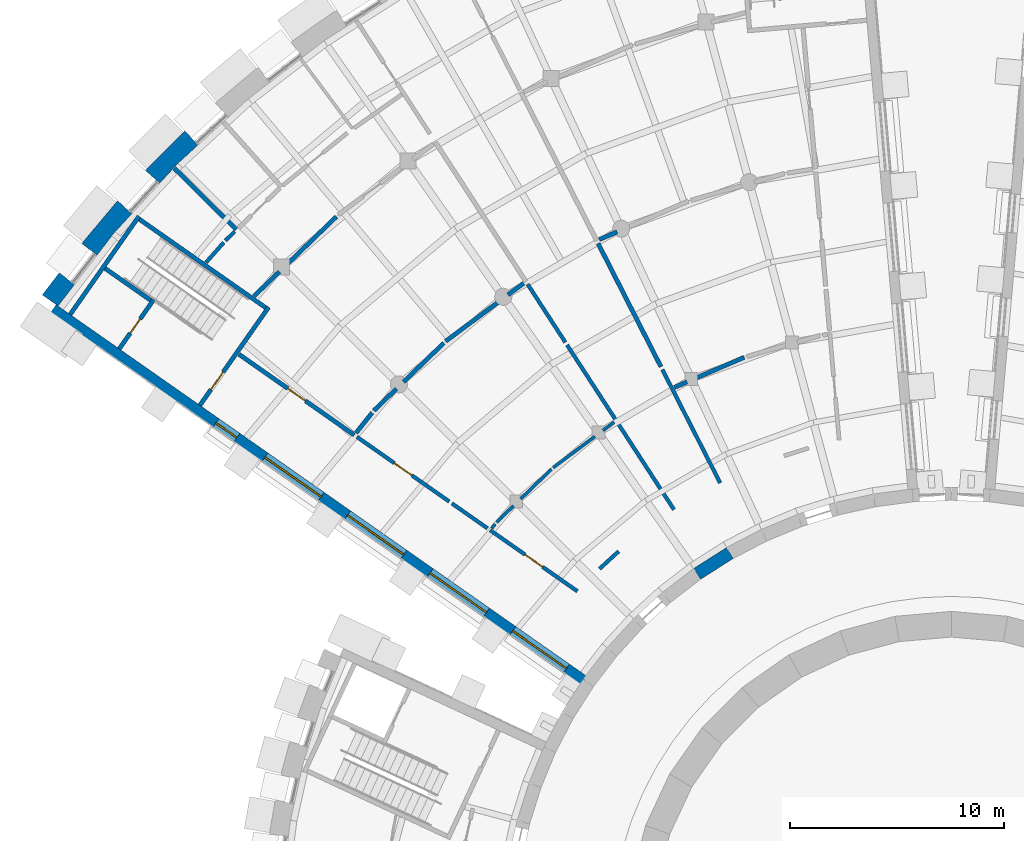
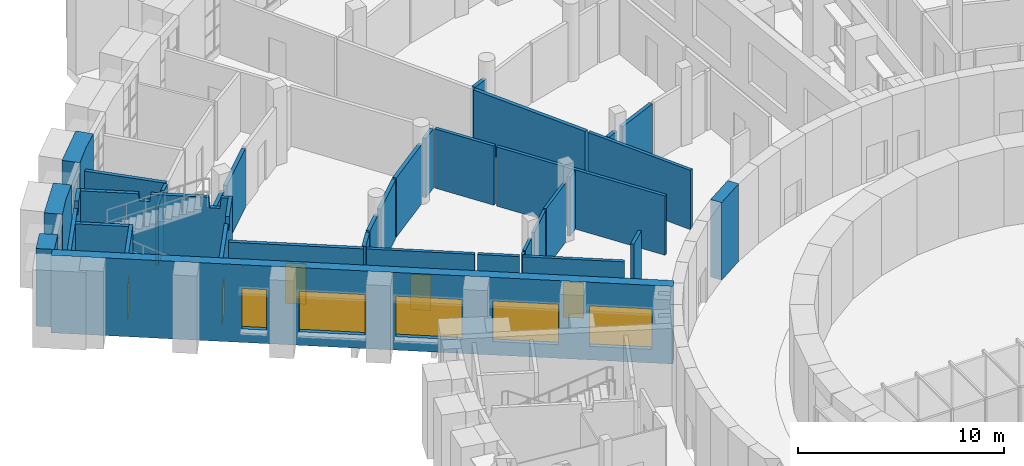
# One storey, part 56 of 85: 37 walls, 5 doors, 5 windows, 10 openings.
"""IFC4 building model written with IfcOpenShell, lengths in metres."""

from ifc_helpers import new_model, si_unit, direction, frame, frame_2d, origin, place, context, subcontext, project, spatial, polyline, rectangle, outline, extrude, material, layer, layer_set, type_object, element, fill, save


model = new_model("IFC4")

# Units and contexts
model_context = context("Model", 3, precision=1e-05, world=origin(), true_north=direction((0.0, 1.0)))
body_context = subcontext(model_context, "Body", "Model", "MODEL_VIEW")
ifc_project = project(units=[si_unit("LENGTHUNIT", "METRE"), si_unit("AREAUNIT", "SQUARE_METRE"), si_unit("VOLUMEUNIT", "CUBIC_METRE"), si_unit("PLANEANGLEUNIT", "RADIAN"), si_unit("MASSUNIT", "GRAM", prefix="KILO")], contexts=[model_context])

# Site, building, storey
site_placement = place(None, origin())
site = spatial("IfcSite", under=ifc_project, at=site_placement, CompositionType="ELEMENT")
building_placement = place(site_placement, origin())
building = spatial("IfcBuilding", under=site, at=building_placement, Name="Volute Hill Aquarium", CompositionType="ELEMENT")
storey_placement = place(building_placement, origin())
storey = spatial("IfcBuildingStorey", under=building, at=storey_placement, Name="L01", CompositionType="ELEMENT", Elevation=0.0)

# Walls
ifc_material_1 = material(Name="Gypsum board on steel studs", Category="steel")
ifc_layer_1 = layer(ifc_material_1, 0.14990234375)
ifc_layer_set_1 = layer_set([ifc_layer_1], Name="Acoustic partition 150")
wall_type_1 = type_object("IfcWallType", Name="Acoustic partition 150", PredefinedType="PARTITIONING", material=ifc_layer_set_1)
wall_1_placement = place(storey_placement, frame((-18.60791015625, 21.916015625, 0.0), z_axis=(0.0, 0.0, 1.0), x_axis=(0.802120624252, 0.597162041786, 0.0)))
element("IfcWall", 1, at=wall_1_placement, inside=storey, type_object=wall_type_1, Name="pw/S6/L01/030", PredefinedType="PARTITIONING", context=body_context, shape_type="SweptSolid", body=[
    extrude(rectangle(XDim=2.439453125, YDim=0.14990234375, at=frame_2d((1.2197265625, 0.0))), origin(), (0.0, 0.0, 1.0), 3.510009765625),
])
wall_2_placement = place(storey_placement, frame((-20.12353515625, 20.452392578125, 0.0), z_axis=(0.0, 0.0, 1.0), x_axis=(0.719317397078, 0.694681568965, 0.0)))
element("IfcWall", 2, at=wall_2_placement, inside=storey, type_object=wall_type_1, Name="pw/S6/L01/034", PredefinedType="PARTITIONING", context=body_context, shape_type="SweptSolid", body=[
    extrude(rectangle(XDim=2.001708984375, YDim=0.14990234375, at=frame_2d((1.0009765625, 0.0))), origin(), (0.0, 0.0, 1.0), 3.510009765625),
])
wall_3_placement = place(storey_placement, frame((-21.253173828125, 19.361572265625, 0.0), z_axis=(0.0, 0.0, 1.0), x_axis=(0.719390021907, 0.69460636074, 0.0)))
element("IfcWall", 3, at=wall_3_placement, inside=storey, type_object=wall_type_1, Name="pw/S6/L01/050", PredefinedType="PARTITIONING", context=body_context, shape_type="SweptSolid", body=[
    extrude(rectangle(XDim=1.103271484375, YDim=0.14990234375, at=frame_2d((0.5517578125, 0.0))), origin(), (0.0, 0.0, 1.0), 3.510009765625),
])
wall_4_placement = place(storey_placement, frame((-16.27392578125, 23.653564453125, 0.0), z_axis=(0.0, 0.0, 1.0), x_axis=(0.802203924917, 0.597050134283, 0.0)))
element("IfcWall", 4, at=wall_4_placement, inside=storey, type_object=wall_type_1, Name="pw/S6/L01/053", PredefinedType="PARTITIONING", context=body_context, shape_type="SweptSolid", body=[
    extrude(rectangle(XDim=0.649658203125, YDim=0.14990234375, at=frame_2d((0.32470703125, 0.0))), origin(), (0.0, 0.0, 1.0), 3.510009765625),
])
wall_5_placement = place(storey_placement, frame((-21.4736328125, 19.085693359375, 0.0), z_axis=(0.0, 0.0, 1.0), x_axis=(0.62457509106, 0.78096475953, 0.0)))
element("IfcWall", 5, at=wall_5_placement, inside=storey, type_object=wall_type_1, Name="pw/S6/L01/056", PredefinedType="PARTITIONING", context=body_context, shape_type="SweptSolid", body=[
    extrude(rectangle(XDim=0.248291015625, YDim=0.14990234375, at=frame_2d((0.1240234375, 0.0))), origin(), (0.0, 0.0, 1.0), 3.510009765625),
])

# Wall, opening, door
ifc_material_2 = material(Name="Concrete C30/37", Category="concrete")
ifc_layer_2 = layer(ifc_material_2, 0.199951171875)
ifc_layer_set_2 = layer_set([ifc_layer_2], Name="Core wall 200 REI 60")
wall_type_2 = type_object("IfcWallType", Name="Core wall 200 REI 60", PredefinedType="SHEAR", material=ifc_layer_set_2)
wall_6_placement = place(storey_placement, frame((-35.10888671875, 24.82763671875, 0.0), z_axis=(0.0, 0.0, 1.0), x_axis=(0.573599855614, 0.819135645446, 0.0)))
wall_6 = element("IfcWall", 6, at=wall_6_placement, inside=storey, type_object=wall_type_2, Name="wc/S6-B/L01/in", PredefinedType="SHEAR", context=body_context, shape_type="SweptSolid", body=[
    extrude(outline(polyline([(0.0, 0.0), (5.60009765625, 0.0), (5.60009765625, 4.35009765625), (3.853271484375, 4.35009765625), (3.80322265625, 3.780029296875), (3.30322265625, 3.780029296875), (3.25341796875, 4.35009765625), (0.0, 4.35009765625), (0.0, 0.0)])), frame((0.0, 0.10009765625, 0.0), z_axis=(0.0, -1.0, 0.0), x_axis=(1.0, 0.0, 0.0)), (0.0, 0.0, 1.0), 0.199951171875),
])
opening_1_placement = place(wall_6_placement, frame((0.89990234375, 0.0, 0.0)))
opening_1 = element("IfcOpeningElement", 7, at=opening_1_placement, cuts=wall_6, Name="Opening D6.01.BS", PredefinedType="OPENING", context=body_context, shape_type="SweptSolid", body=[
    extrude(rectangle(XDim=1.0, YDim=2.10009765625, at=frame_2d((0.5, 1.050048828125))), frame((0.0, 0.10986328125, 0.0), z_axis=(0.0, -1.0, 0.0), x_axis=(1.0, 0.0, 0.0)), (0.0, 0.0, 1.0), 0.219970703125),
])
ifc_material_3 = material(Name="Timber, fire-rated", Category="wood")
door_type_1 = type_object("IfcDoorType", Name="Door 1000 x 2100 single EI1 30", OperationType="SINGLE_SWING_LEFT", PredefinedType="DOOR", material=ifc_material_3)
door_1_placement = place(opening_1_placement, origin())
door_1 = element("IfcDoor", 8, at=door_1_placement, inside=storey, type_object=door_type_1, Name="d/S6-B/L01/st", OperationType="SINGLE_SWING_RIGHT", OverallHeight=2.10009765625, OverallWidth=1.0, PredefinedType="DOOR", context=body_context, shape_type="SweptSolid", body=[
    extrude(rectangle(XDim=1.0, YDim=2.10009765625, at=frame_2d((0.5, 1.050048828125))), frame((0.0, 0.02490234375, 0.0), z_axis=(0.0, -1.0, 0.0), x_axis=(1.0, 0.0, 0.0)), (0.0, 0.0, 1.0), 0.050048828125),
])
fill(opening_1, door_1)

# Walls
wall_7_placement = place(storey_placement, frame((-32.0361328125, 29.390380859375, 0.0), z_axis=(0.0, 0.0, 1.0), x_axis=(-0.819161821637, 0.573562472597, 0.0)))
element("IfcWall", 9, at=wall_7_placement, inside=storey, type_object=wall_type_2, Name="wc/S6-B/L01/side", PredefinedType="SHEAR", context=body_context, shape_type="SweptSolid", body=[
    extrude(outline(polyline([(0.0, 0.0), (7.199951171875, 0.0), (7.199951171875, 4.35009765625), (4.36767578125, 4.35009765625), (4.317626953125, 3.929931640625), (3.817626953125, 3.929931640625), (3.767578125, 4.35009765625), (0.942626953125, 4.35009765625), (0.892578125, 3.72998046875), (0.392578125, 3.72998046875), (0.342529296875, 4.35009765625), (0.0, 4.35009765625), (0.0, 0.0)])), frame((0.0, 0.10009765625, 0.0), z_axis=(0.0, -1.0, 0.0), x_axis=(1.0, 0.0, 0.0)), (0.0, 0.0, 1.0), 0.199951171875),
])
wall_8_placement = place(storey_placement, frame((-41.17041015625, 29.072021484375, 0.0), z_axis=(0.0, 0.0, 1.0), x_axis=(0.573570601961, 0.819156129542, 0.0)))
element("IfcWall", 10, at=wall_8_placement, inside=storey, type_object=wall_type_2, Name="wc/S6-B/L01/out", PredefinedType="SHEAR", context=body_context, shape_type="SweptSolid", body=[
    extrude(outline(polyline([(0.0, 0.0), (5.599853515625, 0.0), (5.599853515625, 4.35009765625), (4.51806640625, 4.35009765625), (4.468017578125, 3.929931640625), (3.968017578125, 3.929931640625), (3.918212890625, 4.35009765625), (0.0, 4.35009765625), (0.0, 0.0)])), frame((0.0, 0.10009765625, 0.0), z_axis=(0.0, -1.0, 0.0), x_axis=(1.0, 0.0, 0.0)), (0.0, 0.0, 1.0), 0.199951171875),
])
ifc_material_4 = material(Name="Gypsum board on steel studs", Category="steel")
ifc_layer_3 = layer(ifc_material_4, 0.175048828125)
ifc_layer_set_3 = layer_set([ifc_layer_3], Name="Corridor partition 175 EI 60")
wall_type_3 = type_object("IfcWallType", Name="Corridor partition 175 EI 60", PredefinedType="PARTITIONING", material=ifc_layer_set_3)
wall_9_placement = place(storey_placement, frame((-12.96240234375, 19.96044921875, 0.0), z_axis=(0.0, 0.0, 1.0), x_axis=(-0.544645595922, 0.838666307206, 0.0)))
element("IfcWall", 11, at=wall_9_placement, inside=storey, type_object=wall_type_3, Name="pw/S6/L01/001", PredefinedType="PARTITIONING", context=body_context, shape_type="SweptSolid", body=[
    extrude(rectangle(XDim=9.16455078125, YDim=0.175048828125, at=frame_2d((4.582275390625, 0.0))), origin(), (0.0, 0.0, 1.0), 3.510009765625),
])
wall_10_placement = place(storey_placement, frame((-13.500732421875, 26.496826171875, 0.0), z_axis=(0.0, 0.0, 1.0), x_axis=(0.453992914648, -0.891005293727, 0.0)))
element("IfcWall", 12, at=wall_10_placement, inside=storey, type_object=wall_type_3, Name="pw/S6/L01/009", PredefinedType="PARTITIONING", context=body_context, shape_type="SweptSolid", body=[
    extrude(rectangle(XDim=5.93798828125, YDim=0.175048828125, at=frame_2d((2.968994140625, 0.0))), origin(), (0.0, 0.0, 1.0), 3.510009765625),
])

# Wall, opening, door
wall_11_placement = place(storey_placement, frame((-27.772705078125, 23.35302734375, 0.0), z_axis=(0.0, 0.0, 1.0), x_axis=(0.819151370893, -0.573577398059, 0.0)))
wall_11 = element("IfcWall", 13, at=wall_11_placement, inside=storey, type_object=wall_type_3, Name="pw/S6/L01/011", PredefinedType="PARTITIONING", context=body_context, shape_type="SweptSolid", body=[
    extrude(rectangle(XDim=5.26904296875, YDim=0.175048828125, at=frame_2d((2.634521484375, 0.0))), origin(), (0.0, 0.0, 1.0), 3.510009765625),
])
opening_2_placement = place(wall_11_placement, frame((2.134521484375, 0.0, 0.0)))
opening_2 = element("IfcOpeningElement", 14, at=opening_2_placement, cuts=wall_11, Name="Opening D6.01.05", PredefinedType="OPENING", context=body_context, shape_type="SweptSolid", body=[
    extrude(rectangle(XDim=1.0, YDim=2.10009765625, at=frame_2d((0.5, 1.050048828125))), frame((0.0, 0.097412109375, 0.0), z_axis=(0.0, -1.0, 0.0), x_axis=(1.0, 0.0, 0.0)), (0.0, 0.0, 1.0), 0.195068359375),
])
door_2_placement = place(opening_2_placement, origin())
door_2 = element("IfcDoor", 15, at=door_2_placement, inside=storey, type_object=door_type_1, Name="d/S6/L01/05", OperationType="SINGLE_SWING_LEFT", OverallHeight=2.10009765625, OverallWidth=1.0, PredefinedType="DOOR", context=body_context, shape_type="SweptSolid", body=[
    extrude(rectangle(XDim=1.0, YDim=2.10009765625, at=frame_2d((0.5, 1.050048828125))), frame((0.0, 0.02490234375, 0.0), z_axis=(0.0, -1.0, 0.0), x_axis=(1.0, 0.0, 0.0)), (0.0, 0.0, 1.0), 0.050048828125),
])
fill(opening_2, door_2)

wall_12_placement = place(storey_placement, frame((-21.547119140625, 18.993896484375, 0.0), z_axis=(0.0, 0.0, 1.0), x_axis=(0.819169654263, -0.57355128588, 0.0)))
wall_12 = element("IfcWall", 16, at=wall_12_placement, inside=storey, type_object=wall_type_3, Name="pw/S6/L01/013", PredefinedType="PARTITIONING", context=body_context, shape_type="SweptSolid", body=[
    extrude(rectangle(XDim=4.973876953125, YDim=0.175048828125, at=frame_2d((2.48681640625, 0.0))), origin(), (0.0, 0.0, 1.0), 3.510009765625),
])
opening_3_placement = place(wall_12_placement, frame((1.987060546875, 0.0, 0.0)))
opening_3 = element("IfcOpeningElement", 17, at=opening_3_placement, cuts=wall_12, Name="Opening D6.01.04", PredefinedType="OPENING", context=body_context, shape_type="SweptSolid", body=[
    extrude(rectangle(XDim=1.0, YDim=2.10009765625, at=frame_2d((0.5, 1.050048828125))), frame((0.0, 0.097412109375, 0.0), z_axis=(0.0, -1.0, 0.0), x_axis=(1.0, 0.0, 0.0)), (0.0, 0.0, 1.0), 0.195068359375),
])
door_3_placement = place(opening_3_placement, origin())
door_3 = element("IfcDoor", 18, at=door_3_placement, inside=storey, type_object=door_type_1, Name="d/S6/L01/04", OperationType="SINGLE_SWING_RIGHT", OverallHeight=2.10009765625, OverallWidth=1.0, PredefinedType="DOOR", context=body_context, shape_type="SweptSolid", body=[
    extrude(rectangle(XDim=1.0, YDim=2.10009765625, at=frame_2d((0.5, 1.050048828125))), frame((0.0, 0.02490234375, 0.0), z_axis=(0.0, -1.0, 0.0), x_axis=(1.0, 0.0, 0.0)), (0.0, 0.0, 1.0), 0.050048828125),
])
fill(opening_3, door_3)

# Walls
wall_13_placement = place(storey_placement, frame((-19.797607421875, 30.485595703125, 0.0), z_axis=(0.0, 0.0, 1.0), x_axis=(0.544664723854, -0.838653884859, 0.0)))
element("IfcWall", 19, at=wall_13_placement, inside=storey, type_object=wall_type_3, Name="pw/S6/L01/020", PredefinedType="PARTITIONING", context=body_context, shape_type="SweptSolid", body=[
    extrude(rectangle(XDim=3.2353515625, YDim=0.175048828125, at=frame_2d((1.61767578125, 0.0))), origin(), (0.0, 0.0, 1.0), 3.510009765625),
])
wall_14_placement = place(storey_placement, frame((-33.91552734375, 32.523681640625, 0.0), z_axis=(0.0, 0.0, 1.0), x_axis=(0.719380474715, 0.694616248441, 0.0)))
element("IfcWall", 20, at=wall_14_placement, inside=storey, type_object=wall_type_3, Name="pw/S6/L01/021", PredefinedType="PARTITIONING", context=body_context, shape_type="SweptSolid", body=[
    extrude(rectangle(XDim=0.601318359375, YDim=0.175048828125, at=frame_2d((0.30078125, 0.0))), origin(), (0.0, 0.0, 1.0), 3.510009765625),
])
wall_15_placement = place(storey_placement, frame((-23.333740234375, 20.244873046875, 0.0), z_axis=(0.0, 0.0, 1.0), x_axis=(0.819164141, -0.573559160069, 0.0)))
element("IfcWall", 21, at=wall_15_placement, inside=storey, type_object=wall_type_3, Name="pw/S6/L01/032", PredefinedType="PARTITIONING", context=body_context, shape_type="SweptSolid", body=[
    extrude(rectangle(XDim=2.03076171875, YDim=0.175048828125, at=frame_2d((1.015380859375, 0.0))), origin(), (0.0, 0.0, 1.0), 3.510009765625),
])
wall_16_placement = place(storey_placement, frame((-34.82373046875, 31.5009765625, 0.0), z_axis=(0.0, 0.0, 1.0), x_axis=(0.663988099317, 0.747743140366, 0.0)))
element("IfcWall", 22, at=wall_16_placement, inside=storey, type_object=wall_type_3, Name="pw/S6/L01/044", PredefinedType="PARTITIONING", context=body_context, shape_type="SweptSolid", body=[
    extrude(rectangle(XDim=1.25048828125, YDim=0.175048828125, at=frame_2d((0.625244140625, 0.0))), origin(), (0.0, 0.0, 1.0), 3.510009765625),
])
wall_17_placement = place(storey_placement, frame((-16.438232421875, 17.187255859375, 0.0), z_axis=(0.0, 0.0, 1.0), x_axis=(0.737279656854, 0.675587675723, 0.0)))
element("IfcWall", 23, at=wall_17_placement, inside=storey, type_object=wall_type_3, Name="pw/S6/L01/047", PredefinedType="PARTITIONING", context=body_context, shape_type="SweptSolid", body=[
    extrude(rectangle(XDim=1.2109375, YDim=0.175048828125, at=frame_2d((0.60546875, 0.0))), origin(), (0.0, 0.0, 1.0), 3.510009765625),
])
ifc_material_5 = material(Name="Concrete C35/45", Category="concrete")
ifc_layer_4 = layer(ifc_material_5, 0.60009765625)
ifc_layer_set_4 = layer_set([ifc_layer_4], Name="Drum wall C35/45 600")
wall_type_4 = type_object("IfcWallType", Name="Drum wall C35/45 600", PredefinedType="SHEAR", material=ifc_layer_set_4)
wall_18_placement = place(storey_placement, frame((-10.35009765625, 17.9267578125, 0.0), z_axis=(0.0, 0.0, 1.0), x_axis=(-0.843332890803, -0.537391510251, 0.0)))
element("IfcWall", 24, at=wall_18_placement, inside=storey, type_object=wall_type_4, Name="sw/DR/L01/24", PredefinedType="SHEAR", context=body_context, shape_type="SweptSolid", body=[
    extrude(rectangle(XDim=1.805908203125, YDim=0.60009765625, at=frame_2d((0.90283203125, 0.0))), origin(), (0.0, 0.0, 1.0), 4.60009765625),
])

# Wall, openings, windows
ifc_material_6 = material(Name="Concrete C35/45", Category="concrete")
ifc_layer_5 = layer(ifc_material_6, 0.5)
ifc_layer_set_5 = layer_set([ifc_layer_5], Name="End wall 500 C35/45")
wall_type_5 = type_object("IfcWallType", Name="End wall 500 C35/45", PredefinedType="SHEAR", material=ifc_layer_set_5)
wall_19_placement = place(storey_placement, frame((-17.14892578125, 11.94677734375, 0.0), z_axis=(0.0, 0.0, 1.0), x_axis=(-0.81915166255, 0.57357698153, 0.0)))
wall_19 = element("IfcWall", 25, at=wall_19_placement, inside=storey, type_object=wall_type_5, Name="sw/S6/L01/endB", PredefinedType="SHEAR", context=body_context, shape_type="SweptSolid", body=[
    extrude(rectangle(XDim=30.300048828125, YDim=0.5, at=frame_2d((15.14990234375, 0.0))), origin(), (0.0, 0.0, 1.0), 4.60009765625),
])
opening_4_placement = place(wall_19_placement, frame((1.02001953125, 0.0, 0.800048828125)))
opening_4 = element("IfcOpeningElement", 26, at=opening_4_placement, cuts=wall_19, Name="Opening W14", PredefinedType="OPENING", context=body_context, shape_type="SweptSolid", body=[
    extrude(rectangle(XDim=3.063232421875, YDim=2.39990234375, at=frame_2d((1.53173828125, 1.199951171875))), frame((0.0, 0.260009765625, 0.0), z_axis=(0.0, -1.0, 0.0), x_axis=(1.0, 0.0, 0.0)), (0.0, 0.0, 1.0), 0.52001953125),
])
opening_5_placement = place(wall_19_placement, frame((5.583251953125, 0.0, 0.800048828125)))
opening_5 = element("IfcOpeningElement", 27, at=opening_5_placement, cuts=wall_19, Name="Opening W15", PredefinedType="OPENING", context=body_context, shape_type="SweptSolid", body=[
    extrude(rectangle(XDim=3.21337890625, YDim=2.39990234375, at=frame_2d((1.606689453125, 1.199951171875))), frame((0.0, 0.260009765625, 0.0), z_axis=(0.0, -1.0, 0.0), x_axis=(1.0, 0.0, 0.0)), (0.0, 0.0, 1.0), 0.52001953125),
])
opening_6_placement = place(wall_19_placement, frame((10.296630859375, 0.0, 0.800048828125)))
opening_6 = element("IfcOpeningElement", 28, at=opening_6_placement, cuts=wall_19, Name="Opening W15", PredefinedType="OPENING", context=body_context, shape_type="SweptSolid", body=[
    extrude(rectangle(XDim=3.21337890625, YDim=2.39990234375, at=frame_2d((1.606689453125, 1.199951171875))), frame((0.0, 0.260009765625, 0.0), z_axis=(0.0, -1.0, 0.0), x_axis=(1.0, 0.0, 0.0)), (0.0, 0.0, 1.0), 0.52001953125),
])
opening_7_placement = place(wall_19_placement, frame((15.010009765625, 0.0, 0.800048828125)))
opening_7 = element("IfcOpeningElement", 29, at=opening_7_placement, cuts=wall_19, Name="Opening W15", PredefinedType="OPENING", context=body_context, shape_type="SweptSolid", body=[
    extrude(rectangle(XDim=3.21337890625, YDim=2.39990234375, at=frame_2d((1.606689453125, 1.199951171875))), frame((0.0, 0.260009765625, 0.0), z_axis=(0.0, -1.0, 0.0), x_axis=(1.0, 0.0, 0.0)), (0.0, 0.0, 1.0), 0.52001953125),
])
opening_8_placement = place(wall_19_placement, frame((19.81640625, 0.0, 0.800048828125)))
opening_8 = element("IfcOpeningElement", 30, at=opening_8_placement, cuts=wall_19, Name="Opening W16", PredefinedType="OPENING", context=body_context, shape_type="SweptSolid", body=[
    extrude(rectangle(XDim=1.199951171875, YDim=2.39990234375, at=frame_2d((0.60009765625, 1.199951171875))), frame((0.0, 0.260009765625, 0.0), z_axis=(0.0, -1.0, 0.0), x_axis=(1.0, 0.0, 0.0)), (0.0, 0.0, 1.0), 0.52001953125),
])
ifc_material_7 = material(Name="Aluminium and glass", Category="aluminium")
window_type_1 = type_object("IfcWindowType", Name="End wall window 1200x2400", PartitioningType="SINGLE_PANEL", PredefinedType="WINDOW", material=ifc_material_7)
window_1_placement = place(opening_8_placement, origin())
window_1 = element("IfcWindow", 31, at=window_1_placement, inside=storey, type_object=window_type_1, Name="End wall window S6B L01 5.1", OverallHeight=2.39990234375, OverallWidth=1.199951171875, PartitioningType="SINGLE_PANEL", PredefinedType="WINDOW", context=body_context, shape_type="SweptSolid", body=[
    extrude(rectangle(XDim=1.199951171875, YDim=2.39990234375, at=frame_2d((0.60009765625, 1.199951171875))), frame((0.0, 0.030029296875, 0.0), z_axis=(0.0, -1.0, 0.0), x_axis=(1.0, 0.0, 0.0)), (0.0, 0.0, 1.0), 0.06005859375),
])
fill(opening_8, window_1)
ifc_material_8 = material(Name="Aluminium and glass", Category="aluminium")
window_type_2 = type_object("IfcWindowType", Name="End wall window 3063x2400", PartitioningType="SINGLE_PANEL", PredefinedType="WINDOW", material=ifc_material_8)
window_2_placement = place(opening_4_placement, origin())
window_2 = element("IfcWindow", 32, at=window_2_placement, inside=storey, type_object=window_type_2, Name="End wall window S6B L01 1.1", OverallHeight=2.39990234375, OverallWidth=3.063232421875, PartitioningType="SINGLE_PANEL", PredefinedType="WINDOW", context=body_context, shape_type="SweptSolid", body=[
    extrude(rectangle(XDim=3.063232421875, YDim=2.39990234375, at=frame_2d((1.53173828125, 1.199951171875))), frame((0.0, 0.030029296875, 0.0), z_axis=(0.0, -1.0, 0.0), x_axis=(1.0, 0.0, 0.0)), (0.0, 0.0, 1.0), 0.06005859375),
])
fill(opening_4, window_2)
ifc_material_9 = material(Name="Aluminium and glass", Category="aluminium")
window_type_3 = type_object("IfcWindowType", Name="End wall window 3213x2400", PartitioningType="SINGLE_PANEL", PredefinedType="WINDOW", material=ifc_material_9)
window_3_placement = place(opening_5_placement, origin())
window_3 = element("IfcWindow", 33, at=window_3_placement, inside=storey, type_object=window_type_3, Name="End wall window S6B L01 2.1", OverallHeight=2.39990234375, OverallWidth=3.21337890625, PartitioningType="SINGLE_PANEL", PredefinedType="WINDOW", context=body_context, shape_type="SweptSolid", body=[
    extrude(rectangle(XDim=3.21337890625, YDim=2.39990234375, at=frame_2d((1.606689453125, 1.199951171875))), frame((0.0, 0.030029296875, 0.0), z_axis=(0.0, -1.0, 0.0), x_axis=(1.0, 0.0, 0.0)), (0.0, 0.0, 1.0), 0.06005859375),
])
fill(opening_5, window_3)
window_4_placement = place(opening_6_placement, origin())
window_4 = element("IfcWindow", 34, at=window_4_placement, inside=storey, type_object=window_type_3, Name="End wall window S6B L01 3.1", OverallHeight=2.39990234375, OverallWidth=3.21337890625, PartitioningType="SINGLE_PANEL", PredefinedType="WINDOW", context=body_context, shape_type="SweptSolid", body=[
    extrude(rectangle(XDim=3.21337890625, YDim=2.39990234375, at=frame_2d((1.606689453125, 1.199951171875))), frame((0.0, 0.030029296875, 0.0), z_axis=(0.0, -1.0, 0.0), x_axis=(1.0, 0.0, 0.0)), (0.0, 0.0, 1.0), 0.06005859375),
])
fill(opening_6, window_4)
window_5_placement = place(opening_7_placement, origin())
window_5 = element("IfcWindow", 35, at=window_5_placement, inside=storey, type_object=window_type_3, Name="End wall window S6B L01 4.1", OverallHeight=2.39990234375, OverallWidth=3.21337890625, PartitioningType="SINGLE_PANEL", PredefinedType="WINDOW", context=body_context, shape_type="SweptSolid", body=[
    extrude(rectangle(XDim=3.21337890625, YDim=2.39990234375, at=frame_2d((1.606689453125, 1.199951171875))), frame((0.0, 0.030029296875, 0.0), z_axis=(0.0, -1.0, 0.0), x_axis=(1.0, 0.0, 0.0)), (0.0, 0.0, 1.0), 0.06005859375),
])
fill(opening_7, window_5)

# Wall
ifc_material_10 = material(Name="Masonry blockwork", Category="masonry")
ifc_layer_6 = layer(ifc_material_10, 0.199951171875)
ifc_layer_set_6 = layer_set([ifc_layer_6], Name="Fire partition 200 EI 60")
wall_type_6 = type_object("IfcWallType", Name="Fire partition 200 EI 60", PredefinedType="PARTITIONING", material=ifc_layer_set_6)
wall_20_placement = place(storey_placement, frame((-13.56884765625, 26.630615234375, 0.0), z_axis=(0.0, 0.0, 1.0), x_axis=(-0.454031618181, 0.890985572101, 0.0)))
element("IfcWall", 36, at=wall_20_placement, inside=storey, type_object=wall_type_6, Name="pw/S6/L01/005", PredefinedType="PARTITIONING", context=body_context, shape_type="SweptSolid", body=[
    extrude(rectangle(XDim=6.461669921875, YDim=0.199951171875, at=frame_2d((3.23095703125, 0.0))), origin(), (0.0, 0.0, 1.0), 3.510009765625),
])

# Wall, opening, door
wall_21_placement = place(storey_placement, frame((-33.281494140625, 27.21044921875, 0.0), z_axis=(0.0, 0.0, 1.0), x_axis=(0.819156902999, -0.573569497331, 0.0)))
wall_21 = element("IfcWall", 37, at=wall_21_placement, inside=storey, type_object=wall_type_6, Name="pw/S6/L01/006", PredefinedType="PARTITIONING", context=body_context, shape_type="SweptSolid", body=[
    extrude(rectangle(XDim=6.574951171875, YDim=0.199951171875, at=frame_2d((3.28759765625, 0.0))), origin(), (0.0, 0.0, 1.0), 3.510009765625),
])
opening_9_placement = place(wall_21_placement, frame((2.78759765625, 0.0, 0.0)))
opening_9 = element("IfcOpeningElement", 38, at=opening_9_placement, cuts=wall_21, Name="Opening D6.01.06", PredefinedType="OPENING", context=body_context, shape_type="SweptSolid", body=[
    extrude(rectangle(XDim=1.0, YDim=2.39990234375, at=frame_2d((0.5, 1.199951171875))), frame((0.0, 0.10986328125, 0.0), z_axis=(0.0, -1.0, 0.0), x_axis=(1.0, 0.0, 0.0)), (0.0, 0.0, 1.0), 0.219970703125),
])
ifc_material_11 = material(Name="Steel, fire-rated", Category="steel")
door_type_2 = type_object("IfcDoorType", Name="Door 1000 x 2400 laboratory EI1 30", OperationType="SINGLE_SWING_LEFT", PredefinedType="DOOR", material=ifc_material_11)
door_4_placement = place(opening_9_placement, origin())
door_4 = element("IfcDoor", 39, at=door_4_placement, inside=storey, type_object=door_type_2, Name="d/S6/L01/06", OperationType="SINGLE_SWING_RIGHT", OverallHeight=2.39990234375, OverallWidth=1.0, PredefinedType="DOOR", context=body_context, shape_type="SweptSolid", body=[
    extrude(rectangle(XDim=1.0, YDim=2.39990234375, at=frame_2d((0.5, 1.199951171875))), frame((0.0, 0.02490234375, 0.0), z_axis=(0.0, -1.0, 0.0), x_axis=(1.0, 0.0, 0.0)), (0.0, 0.0, 1.0), 0.050048828125),
])
fill(opening_9, door_4)

# Walls
wall_22_placement = place(storey_placement, frame((-33.412109375, 33.041015625, 0.0), z_axis=(0.0, 0.0, 1.0), x_axis=(-0.711026666225, 0.703165044578, 0.0)))
element("IfcWall", 40, at=wall_22_placement, inside=storey, type_object=wall_type_6, Name="pw/S6/L01/014", PredefinedType="PARTITIONING", context=body_context, shape_type="SweptSolid", body=[
    extrude(rectangle(XDim=4.068115234375, YDim=0.199951171875, at=frame_2d((2.0341796875, 0.0))), origin(), (0.0, 0.0, 1.0), 3.510009765625),
])
wall_23_placement = place(storey_placement, frame((-31.069580078125, 31.38525390625, 0.0), z_axis=(0.0, 0.0, 1.0), x_axis=(0.719328913104, 0.694669644344, 0.0)))
element("IfcWall", 41, at=wall_23_placement, inside=storey, type_object=wall_type_6, Name="pw/S6/L01/024", PredefinedType="PARTITIONING", context=body_context, shape_type="SweptSolid", body=[
    extrude(rectangle(XDim=3.247314453125, YDim=0.199951171875, at=frame_2d((1.62353515625, 0.0))), origin(), (0.0, 0.0, 1.0), 3.510009765625),
])
wall_24_placement = place(storey_placement, frame((-23.6240234375, 27.82373046875, 0.0), z_axis=(0.0, 0.0, 1.0), x_axis=(0.802134350782, 0.597143603579, 0.0)))
element("IfcWall", 42, at=wall_24_placement, inside=storey, type_object=wall_type_6, Name="pw/S6/L01/027", PredefinedType="PARTITIONING", context=body_context, shape_type="SweptSolid", body=[
    extrude(rectangle(XDim=3.163330078125, YDim=0.199951171875, at=frame_2d((1.58154296875, 0.0))), origin(), (0.0, 0.0, 1.0), 3.510009765625),
])
wall_25_placement = place(storey_placement, frame((-25.59619140625, 25.919189453125, 0.0), z_axis=(0.0, 0.0, 1.0), x_axis=(0.719338638239, 0.694659573847, 0.0)))
element("IfcWall", 43, at=wall_25_placement, inside=storey, type_object=wall_type_6, Name="pw/S6/L01/029", PredefinedType="PARTITIONING", context=body_context, shape_type="SweptSolid", body=[
    extrude(rectangle(XDim=2.611572265625, YDim=0.199951171875, at=frame_2d((1.3056640625, 0.0))), origin(), (0.0, 0.0, 1.0), 3.510009765625),
])
wall_26_placement = place(storey_placement, frame((-11.915771484375, 26.106689453125, 0.0), z_axis=(0.0, 0.0, 1.0), x_axis=(0.918205503365, 0.396104346847, 0.0)))
element("IfcWall", 44, at=wall_26_placement, inside=storey, type_object=wall_type_6, Name="pw/S6/L01/031", PredefinedType="PARTITIONING", context=body_context, shape_type="SweptSolid", body=[
    extrude(rectangle(XDim=2.439453125, YDim=0.199951171875, at=frame_2d((1.2197265625, 0.0))), origin(), (0.0, 0.0, 1.0), 3.510009765625),
])
wall_27_placement = place(storey_placement, frame((-32.577880859375, 29.928466796875, 0.0), z_axis=(0.0, 0.0, 1.0), x_axis=(0.719296786021, 0.69470291033, 0.0)))
element("IfcWall", 45, at=wall_27_placement, inside=storey, type_object=wall_type_6, Name="pw/S6/L01/038", PredefinedType="PARTITIONING", context=body_context, shape_type="SweptSolid", body=[
    extrude(rectangle(XDim=1.64794921875, YDim=0.199951171875, at=frame_2d((0.823974609375, 0.0))), origin(), (0.0, 0.0, 1.0), 3.510009765625),
])
wall_28_placement = place(storey_placement, frame((-26.982177734375, 24.580810546875, 0.0), z_axis=(0.0, 0.0, 1.0), x_axis=(0.719392860406, 0.694603420951, 0.0)))
element("IfcWall", 46, at=wall_28_placement, inside=storey, type_object=wall_type_6, Name="pw/S6/L01/040", PredefinedType="PARTITIONING", context=body_context, shape_type="SweptSolid", body=[
    extrude(rectangle(XDim=1.467529296875, YDim=0.199951171875, at=frame_2d((0.73388671875, 0.0))), origin(), (0.0, 0.0, 1.0), 3.510009765625),
])
wall_29_placement = place(storey_placement, frame((-27.814453125, 23.540771484375, 0.0), z_axis=(0.0, 0.0, 1.0), x_axis=(0.624794124977, 0.780789537195, 0.0)))
element("IfcWall", 47, at=wall_29_placement, inside=storey, type_object=wall_type_6, Name="pw/S6/L01/043", PredefinedType="PARTITIONING", context=body_context, shape_type="SweptSolid", body=[
    extrude(rectangle(XDim=1.201904296875, YDim=0.199951171875, at=frame_2d((0.60107421875, 0.0))), origin(), (0.0, 0.0, 1.0), 3.510009765625),
])
wall_30_placement = place(storey_placement, frame((-16.451171875, 32.5732421875, 0.0), z_axis=(0.0, 0.0, 1.0), x_axis=(0.918171037995, 0.396184231119, 0.0)))
element("IfcWall", 48, at=wall_30_placement, inside=storey, type_object=wall_type_6, Name="pw/S6/L01/051", PredefinedType="PARTITIONING", context=body_context, shape_type="SweptSolid", body=[
    extrude(rectangle(XDim=0.91015625, YDim=0.199951171875, at=frame_2d((0.455078125, 0.0))), origin(), (0.0, 0.0, 1.0), 3.510009765625),
])
wall_31_placement = place(storey_placement, frame((-20.713623046875, 29.990478515625, 0.0), z_axis=(0.0, 0.0, 1.0), x_axis=(0.802248163476, 0.596990690212, 0.0)))
element("IfcWall", 49, at=wall_31_placement, inside=storey, type_object=wall_type_6, Name="pw/S6/L01/052", PredefinedType="PARTITIONING", context=body_context, shape_type="SweptSolid", body=[
    extrude(rectangle(XDim=0.909912109375, YDim=0.199951171875, at=frame_2d((0.455078125, 0.0))), origin(), (0.0, 0.0, 1.0), 3.510009765625),
])
wall_32_placement = place(storey_placement, frame((-12.9443359375, 25.6630859375, 0.0), z_axis=(0.0, 0.0, 1.0), x_axis=(0.918326442211, 0.395823881968, 0.0)))
element("IfcWall", 50, at=wall_32_placement, inside=storey, type_object=wall_type_6, Name="pw/S6/L01/054", PredefinedType="PARTITIONING", context=body_context, shape_type="SweptSolid", body=[
    extrude(rectangle(XDim=0.6494140625, YDim=0.199951171875, at=frame_2d((0.32470703125, 0.0))), origin(), (0.0, 0.0, 1.0), 3.510009765625),
])
ifc_material_12 = material(Name="Precast concrete C40/50", Category="concrete")
ifc_layer_7 = layer(ifc_material_12, 0.89990234375)
ifc_layer_set_7 = layer_set([ifc_layer_7], Name="Outer pier precast concrete C40/50 900")
wall_type_7 = type_object("IfcWallType", Name="Outer pier precast concrete C40/50 900", PredefinedType="NOTDEFINED", material=ifc_layer_set_7)
wall_33_placement = place(storey_placement, origin())
element("IfcWall", 51, at=wall_33_placement, inside=storey, type_object=wall_type_7, Name="Outer pier OWP S6 L01 9", PredefinedType="NOTDEFINED", context=body_context, shape_type="SweptSolid", body=[
    extrude(outline(polyline([(-35.202392578125, 36.985595703125), (-35.810546875, 37.649169921875), (-37.649169921875, 35.810546875), (-36.985595703125, 35.202392578125), (-36.1328125, 36.1328125), (-35.202392578125, 36.985595703125)])), origin(), (0.0, 0.0, 1.0), 4.60009765625),
])
wall_34_placement = place(storey_placement, origin())
element("IfcWall", 52, at=wall_34_placement, inside=storey, type_object=wall_type_7, Name="Outer pier OWP S6 L01 10", PredefinedType="NOTDEFINED", context=body_context, shape_type="SweptSolid", body=[
    extrude(outline(polyline([(-38.2919921875, 33.776611328125), (-38.95556640625, 34.384765625), (-40.626953125, 32.392822265625), (-39.912841796875, 31.844970703125), (-39.14453125, 32.84619140625), (-38.2919921875, 33.776611328125)])), origin(), (0.0, 0.0, 1.0), 4.60009765625),
])
wall_35_placement = place(storey_placement, origin())
element("IfcWall", 53, at=wall_35_placement, inside=storey, type_object=wall_type_7, Name="Outer pier OWP S6 L01 11", PredefinedType="NOTDEFINED", context=body_context, shape_type="SweptSolid", body=[
    extrude(outline(polyline([(-40.96826171875, 30.469482421875), (-41.68212890625, 31.017578125), (-42.474365234375, 29.985107421875), (-41.736572265625, 29.46826171875), (-40.96826171875, 30.469482421875)])), origin(), (0.0, 0.0, 1.0), 4.60009765625),
])

# Wall, opening, door
ifc_material_13 = material(Name="Masonry blockwork", Category="masonry")
ifc_layer_8 = layer(ifc_material_13, 0.199951171875)
ifc_layer_set_8 = layer_set([ifc_layer_8], Name="Riser wall 200 EI 60")
wall_type_8 = type_object("IfcWallType", Name="Riser wall 200 EI 60", PredefinedType="SOLIDWALL", material=ifc_layer_set_8)
wall_36_placement = place(storey_placement, frame((-38.876953125, 27.466064453125, 0.0), z_axis=(0.0, 0.0, 1.0), x_axis=(0.573550118428, 0.819170471667, 0.0)))
wall_36 = element("IfcWall", 54, at=wall_36_placement, inside=storey, type_object=wall_type_8, Name="wc/S6-B/L01/front", PredefinedType="SOLIDWALL", context=body_context, shape_type="SweptSolid", body=[
    extrude(rectangle(XDim=2.800048828125, YDim=0.199951171875, at=frame_2d((1.39990234375, 0.0))), origin(), (0.0, 0.0, 1.0), 4.35009765625),
])
opening_10_placement = place(wall_36_placement, frame((0.89990234375, 0.0, 0.0)))
opening_10 = element("IfcOpeningElement", 55, at=opening_10_placement, cuts=wall_36, Name="Opening D6.01.BR", PredefinedType="OPENING", context=body_context, shape_type="SweptSolid", body=[
    extrude(rectangle(XDim=0.800048828125, YDim=2.10009765625, at=frame_2d((0.39990234375, 1.050048828125))), frame((0.0, 0.10986328125, 0.0), z_axis=(0.0, -1.0, 0.0), x_axis=(1.0, 0.0, 0.0)), (0.0, 0.0, 1.0), 0.219970703125),
])
ifc_material_14 = material(Name="Steel, fire-rated", Category="steel")
door_type_3 = type_object("IfcDoorType", Name="Door 800 x 2100 riser EI1 30", OperationType="SINGLE_SWING_LEFT", PredefinedType="DOOR", material=ifc_material_14)
door_5_placement = place(opening_10_placement, origin())
door_5 = element("IfcDoor", 56, at=door_5_placement, inside=storey, type_object=door_type_3, Name="d/S6-B/L01/rs", OperationType="SINGLE_SWING_LEFT", OverallHeight=2.10009765625, OverallWidth=0.800048828125, PredefinedType="DOOR", context=body_context, shape_type="SweptSolid", body=[
    extrude(rectangle(XDim=0.800048828125, YDim=2.10009765625, at=frame_2d((0.39990234375, 1.050048828125))), frame((0.0, 0.02490234375, 0.0), z_axis=(0.0, -1.0, 0.0), x_axis=(1.0, 0.0, 0.0)), (0.0, 0.0, 1.0), 0.050048828125),
])
fill(opening_10, door_5)

# Wall
wall_37_placement = place(storey_placement, frame((-37.41015625, 29.735107421875, 0.0), z_axis=(0.0, 0.0, 1.0), x_axis=(-0.819178980414, 0.573537965655, 0.0)))
element("IfcWall", 57, at=wall_37_placement, inside=storey, type_object=wall_type_8, Name="wc/S6-B/L01/shaft-side", PredefinedType="SOLIDWALL", context=body_context, shape_type="SweptSolid", body=[
    extrude(rectangle(XDim=2.60009765625, YDim=0.199951171875, at=frame_2d((1.300048828125, 0.0))), origin(), (0.0, 0.0, 1.0), 4.35009765625),
])

save(model, "model.ifc")
